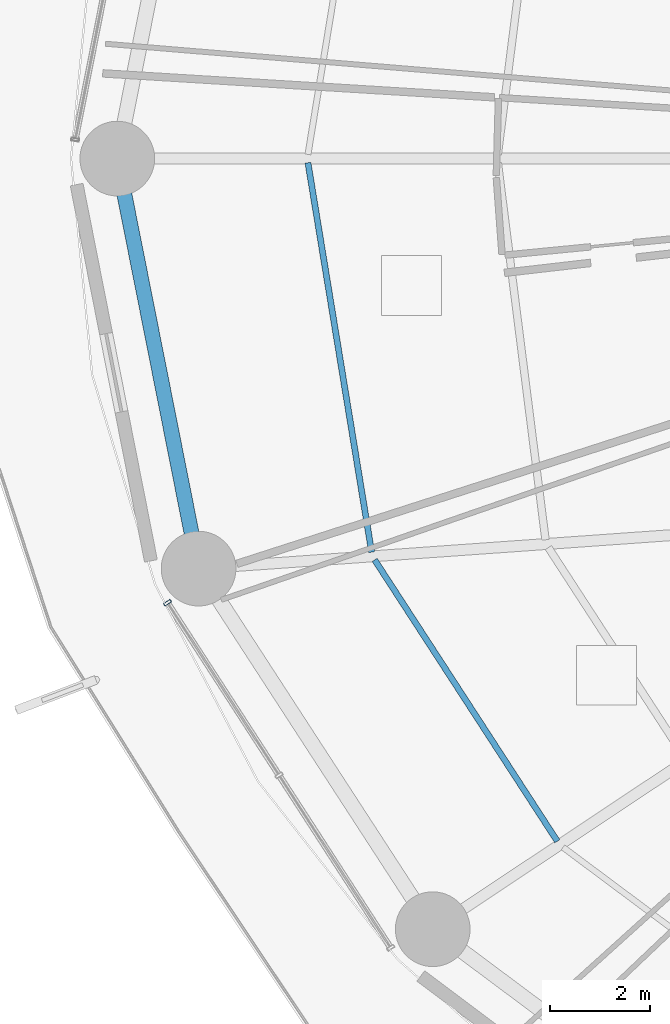
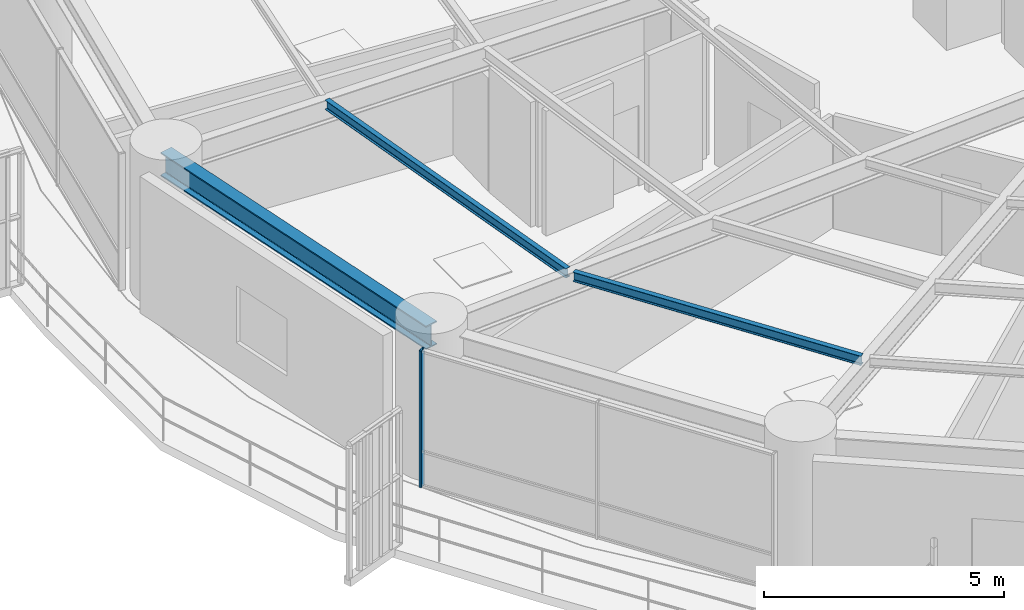
# One storey, part 4 of 32: 3 beams, 1 member, 1 element without a shape of its own.
"""IFC4 building model written with IfcOpenShell, lengths in metres."""

from ifc_helpers import new_model, si_unit, direction, frame, origin, origin_2d, place, context, subcontext, project, spatial, hollow_rectangle, i_section, extrude, material, layer, layer_set, material_profile, profile_set, type_object, element, aggregate, save


model = new_model("IFC4")

# Units and contexts
model_context = context("Model", 3, precision=1e-05, world=origin(), true_north=direction((0.0, 1.0)))
body_context = subcontext(model_context, "Body", "Model", "MODEL_VIEW")
ifc_project = project(units=[si_unit("LENGTHUNIT", "METRE"), si_unit("AREAUNIT", "SQUARE_METRE"), si_unit("VOLUMEUNIT", "CUBIC_METRE"), si_unit("PLANEANGLEUNIT", "RADIAN"), si_unit("MASSUNIT", "GRAM", prefix="KILO")], contexts=[model_context])

# Site, building, storey
site_placement = place(None, origin())
site = spatial("IfcSite", under=ifc_project, at=site_placement, CompositionType="ELEMENT")
building_placement = place(site_placement, origin())
building = spatial("IfcBuilding", under=site, at=building_placement, Name="Kelanora Arch Commons", CompositionType="ELEMENT")
storey_placement = place(building_placement, frame((0.0, 0.0, 60.0)))
storey = spatial("IfcBuildingStorey", under=building, at=storey_placement, Name="L15", CompositionType="ELEMENT", Elevation=60.0)

# Beams
ifc_material_1 = material(Name="Steel S355", Category="steel")
ifc_material_profile_1 = material_profile(ifc_material_1, i_section(OverallWidth=0.1201171875, OverallDepth=0.239990234375, WebThickness=0.006103515625, FlangeThickness=0.009765625, FilletRadius=0.014892578125, at=origin_2d()), Name="IPE240")
ifc_profile_set_1 = profile_set([ifc_material_profile_1], Name="Steel S355")
beam_type_1 = type_object("IfcBeamType", Name="BM-JST-02", PredefinedType="JOIST", material=ifc_profile_set_1)
beam_1_placement = place(storey_placement, frame((50.749755859375, 57.916015625, 3.3701171875), z_axis=(0.161400737199, -0.986888951216, 0.0), x_axis=(0.986888951216, 0.161400737199, 0.0)))
element("IfcBeam", 1, at=beam_1_placement, inside=storey, type_object=beam_type_1, Name="Secondary Chord Joist BJC-18 L15", PredefinedType="JOIST", context=body_context, shape_type="SweptSolid", body=[
    extrude(i_section(OverallWidth=0.1201171875, OverallDepth=0.239990234375, WebThickness=0.006103515625, FlangeThickness=0.009765625, FilletRadius=0.014892578125, at=origin_2d()), origin(), (0.0, 0.0, 1.0), 7.9248046875),
])
beam_2_placement = place(storey_placement, frame((52.0888671875, 49.940185546875, 3.3701171875), z_axis=(0.544550165372, -0.838728273873, 0.0), x_axis=(0.838728273873, 0.544550165372, 0.0)))
element("IfcBeam", 2, at=beam_2_placement, inside=storey, type_object=beam_type_1, Name="Secondary Chord Joist BJC-20 L15", PredefinedType="JOIST", context=body_context, shape_type="SweptSolid", body=[
    extrude(i_section(OverallWidth=0.1201171875, OverallDepth=0.239990234375, WebThickness=0.006103515625, FlangeThickness=0.009765625, FilletRadius=0.014892578125, at=origin_2d()), origin(), (0.0, 0.0, 1.0), 6.738037109375),
])
ifc_material_profile_2 = material_profile(ifc_material_1, i_section(OverallWidth=0.300048828125, OverallDepth=0.60009765625, WebThickness=0.015380859375, FlangeThickness=0.030029296875, FilletRadius=0.027099609375, at=origin_2d()), Name="HEB600")
ifc_profile_set_2 = profile_set([ifc_material_profile_2], Name="Steel S355")
beam_type_2 = type_object("IfcBeamType", Name="BM-SPN-Z1", PredefinedType="SPANDREL", material=ifc_profile_set_2)
beam_3_placement = place(storey_placement, frame((46.919921875, 58.0, 3.18994140625), z_axis=(0.194499827256, -0.980902552345, 0.0), x_axis=(0.980902552345, 0.194499827256, 0.0)))
element("IfcBeam", 3, at=beam_3_placement, inside=storey, type_object=beam_type_2, Name="Perimeter Spandrel Beam BS-18 L15", PredefinedType="SPANDREL", context=body_context, shape_type="SweptSolid", body=[
    extrude(i_section(OverallWidth=0.300048828125, OverallDepth=0.60009765625, WebThickness=0.015380859375, FlangeThickness=0.030029296875, FilletRadius=0.027099609375, at=origin_2d()), origin(), (0.0, 0.0, 1.0), 8.396240234375),
])

# Curtain wall, member
ifc_material_2 = material(Name="Terracotta ceramic-fritted low-E glass and aluminium", Category="masonry")
ifc_layer = layer(ifc_material_2, 0.159912109375)
ifc_layer_set = layer_set([ifc_layer], Name="Terracotta ceramic-fritted low-E glass and aluminium")
curtain_wall_type = type_object("IfcCurtainWallType", Name="CW-SYS-01", PredefinedType="NOTDEFINED", material=ifc_layer_set)
curtain_wall_placement = place(storey_placement, origin())
curtain_wall = element("IfcCurtainWall", 4, at=curtain_wall_placement, inside=storey, type_object=curtain_wall_type, Name="Unitised Curtain Wall L15-B10", PredefinedType="NOTDEFINED")
ifc_material_3 = material(Name="Powder-coated aluminium terracotta", Category="masonry")
ifc_material_profile_3 = material_profile(ifc_material_3, hollow_rectangle(XDim=0.159912109375, YDim=0.06005859375, WallThickness=0.0048828125, InnerFilletRadius=0.0048828125, OuterFilletRadius=0.010009765625, at=origin_2d()), Name="CWM160x60")
ifc_profile_set_3 = profile_set([ifc_material_profile_3], Name="Powder-coated aluminium terracotta")
member_type = type_object("IfcMemberType", Name="CWM-STD", PredefinedType="MULLION", material=ifc_profile_set_3)
member_placement = place(storey_placement, frame((47.927734375, 49.07958984375, 0.0), z_axis=(0.0, 0.0, 1.0), x_axis=(0.83972982332, 0.543004441812, 0.0)))
member = element("IfcMember", 5, at=member_placement, type_object=member_type, Name="CW-01 mullion 1", PredefinedType="MULLION", context=body_context, shape_type="SweptSolid", body=[
    extrude(hollow_rectangle(XDim=0.159912109375, YDim=0.06005859375, WallThickness=0.0048828125, InnerFilletRadius=0.0048828125, OuterFilletRadius=0.010009765625, at=origin_2d()), origin(), (0.0, 0.0, 1.0), 3.47509765625),
])
aggregate(curtain_wall, [member])

save(model, "model.ifc")
